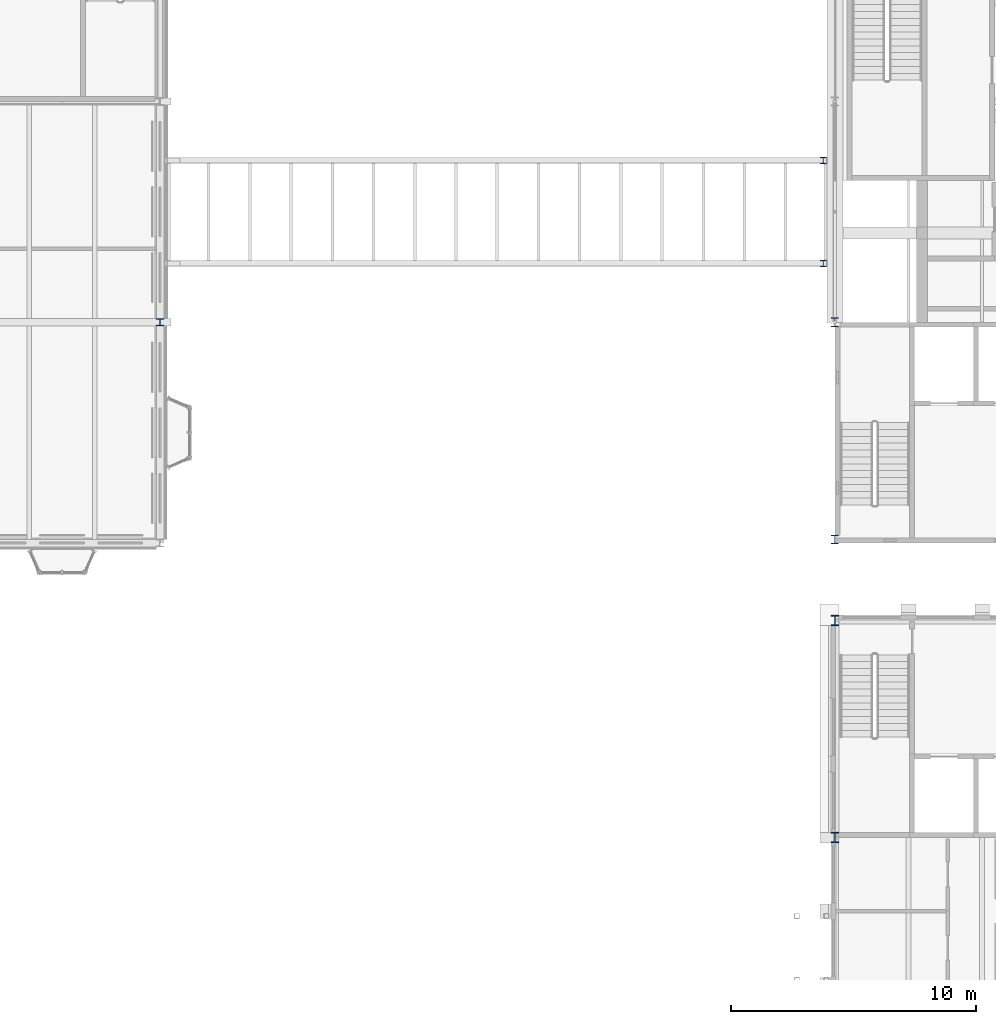
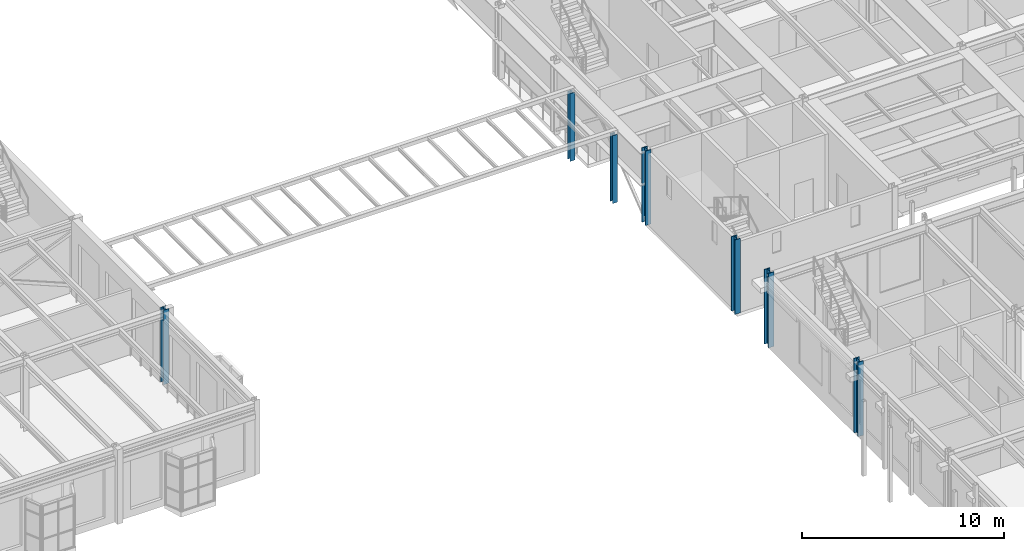
# One storey, part 8 of 153: 7 columns.
"""IFC4 building model written with IfcOpenShell, lengths in metres."""

from ifc_helpers import new_model, si_unit, direction, frame, origin, origin_2d, place, context, subcontext, project, spatial, i_section, extrude, material, material_profile, profile_set, type_object, element, save


model = new_model("IFC4")

# Units and contexts
model_context = context("Model", 3, precision=1e-05, world=origin(), true_north=direction((0.0, 1.0)))
body_context = subcontext(model_context, "Body", "Model", "MODEL_VIEW")
ifc_project = project(units=[si_unit("LENGTHUNIT", "METRE"), si_unit("AREAUNIT", "SQUARE_METRE"), si_unit("VOLUMEUNIT", "CUBIC_METRE"), si_unit("PLANEANGLEUNIT", "RADIAN"), si_unit("MASSUNIT", "GRAM", prefix="KILO")], contexts=[model_context])

# Site, building, storey
site_placement = place(None, origin())
site = spatial("IfcSite", under=ifc_project, at=site_placement, CompositionType="ELEMENT")
building_placement = place(site_placement, origin())
building = spatial("IfcBuilding", under=site, at=building_placement, Name="Kallimachos Central Library", CompositionType="ELEMENT")
storey_placement = place(building_placement, frame((0.0, 0.0, 5.39990234375)))
storey = spatial("IfcBuildingStorey", under=building, at=storey_placement, Name="L01", CompositionType="ELEMENT", Elevation=5.39990234375)

# Columns
ifc_material_1 = material(Name="Steel S355J2", Category="steel")
ifc_material_profile_1 = material_profile(ifc_material_1, i_section(OverallWidth=0.260009765625, OverallDepth=0.260009765625, WebThickness=0.010009765625, FlangeThickness=0.017578125, FilletRadius=0.02392578125, at=origin_2d()), Name="HEB 260")
ifc_profile_set_1 = profile_set([ifc_material_profile_1], Name="Steel S355J2")
column_type_1 = type_object("IfcColumnType", Name="HEB 260 column", PredefinedType="COLUMN", material=ifc_profile_set_1)
for number, where, z_axis, x_axis, name in (
    (1, (65.02490234375, 98.39990234375, 0.0), (0.0, 0.0, 1.0), (1.0, 0.0, 0.0), "B-W landing column"),
    (2, (65.02490234375, 102.60009765625, 0.0), (0.0, 0.0, 1.0), (1.0, 0.0, 0.0), "B-W landing column"),
):
    element("IfcColumn", number, at=place(storey_placement, frame(where, z_axis=z_axis, x_axis=x_axis)), inside=storey, type_object=column_type_1, Name=name, PredefinedType="COLUMN", context=body_context, shape_type="SweptSolid", body=[
        extrude(i_section(OverallWidth=0.260009765625, OverallDepth=0.260009765625, WebThickness=0.010009765625, FlangeThickness=0.017578125, FilletRadius=0.02392578125, at=origin_2d()), origin(), (0.0, 0.0, 1.0), 4.10009765625),
    ])
ifc_material_2 = material(Name="Steel S355J2", Category="steel")
ifc_material_profile_2 = material_profile(ifc_material_2, i_section(OverallWidth=0.300048828125, OverallDepth=0.300048828125, WebThickness=0.010986328125, FlangeThickness=0.01904296875, FilletRadius=0.027099609375, at=origin_2d()), Name="HEB 300")
ifc_profile_set_2 = profile_set([ifc_material_profile_2], Name="Steel S355J2")
column_type_2 = type_object("IfcColumnType", Name="HEB 300 column", PredefinedType="COLUMN", material=ifc_profile_set_2)
column_placement = place(storey_placement, frame((38.0, 96.0, 0.0), z_axis=(0.0, 0.0, 1.0), x_axis=(1.0, 0.0, 0.0)))
element("IfcColumn", 3, at=column_placement, inside=storey, type_object=column_type_2, Name="V2-COL-L01-018", PredefinedType="COLUMN", context=body_context, shape_type="SweptSolid", body=[
    extrude(i_section(OverallWidth=0.300048828125, OverallDepth=0.300048828125, WebThickness=0.010986328125, FlangeThickness=0.01904296875, FilletRadius=0.027099609375, at=origin_2d()), origin(), (0.0, 0.0, 1.0), 4.5),
])
ifc_material_3 = material(Name="Steel S355J2", Category="steel")
ifc_material_profile_3 = material_profile(ifc_material_3, i_section(OverallWidth=0.30908203125, OverallDepth=0.376953125, WebThickness=0.02099609375, FlangeThickness=0.0400390625, FilletRadius=0.027099609375, at=origin_2d()), Name="HEM 340")
ifc_profile_set_3 = profile_set([ifc_material_profile_3], Name="Steel S355J2")
column_type_3 = type_object("IfcColumnType", Name="HEM 340 column", PredefinedType="COLUMN", material=ifc_profile_set_3)
for number, where, z_axis, x_axis, name in (
    (4, (65.5, 87.14990234375, 0.0), (0.0, 0.0, 1.0), (1.0, 0.0, 0.0), "V1-COL-L01-001"),
    (5, (65.5, 96.0, 0.0), (0.0, 0.0, 1.0), (1.0, 0.0, 0.0), "V1-COL-L01-007"),
):
    element("IfcColumn", number, at=place(storey_placement, frame(where, z_axis=z_axis, x_axis=x_axis)), inside=storey, type_object=column_type_3, Name=name, PredefinedType="COLUMN", context=body_context, shape_type="SweptSolid", body=[
        extrude(i_section(OverallWidth=0.30908203125, OverallDepth=0.376953125, WebThickness=0.02099609375, FlangeThickness=0.0400390625, FilletRadius=0.027099609375, at=origin_2d()), origin(), (0.0, 0.0, 1.0), 4.5),
    ])
ifc_material_4 = material(Name="Steel S355J2", Category="steel")
ifc_material_profile_4 = material_profile(ifc_material_4, i_section(OverallWidth=0.306884765625, OverallDepth=0.431884765625, WebThickness=0.02099609375, FlangeThickness=0.0400390625, FilletRadius=0.027099609375, at=origin_2d()), Name="HEM 400")
ifc_profile_set_4 = profile_set([ifc_material_profile_4], Name="Steel S355J2")
column_type_4 = type_object("IfcColumnType", Name="HEM 400 column", PredefinedType="COLUMN", material=ifc_profile_set_4)
for number, where, z_axis, x_axis, name in (
    (6, (65.5, 75.0, 0.0), (0.0, 0.0, 1.0), (1.0, 0.0, 0.0), "V4-COL-L01-019"),
    (7, (65.5, 83.85009765625, 0.0), (0.0, 0.0, 1.0), (1.0, 0.0, 0.0), "V4-COL-L01-025"),
):
    element("IfcColumn", number, at=place(storey_placement, frame(where, z_axis=z_axis, x_axis=x_axis)), inside=storey, type_object=column_type_4, Name=name, PredefinedType="COLUMN", context=body_context, shape_type="SweptSolid", body=[
        extrude(i_section(OverallWidth=0.306884765625, OverallDepth=0.431884765625, WebThickness=0.02099609375, FlangeThickness=0.0400390625, FilletRadius=0.027099609375, at=origin_2d()), origin(), (0.0, 0.0, 1.0), 4.5),
    ])

save(model, "model.ifc")
